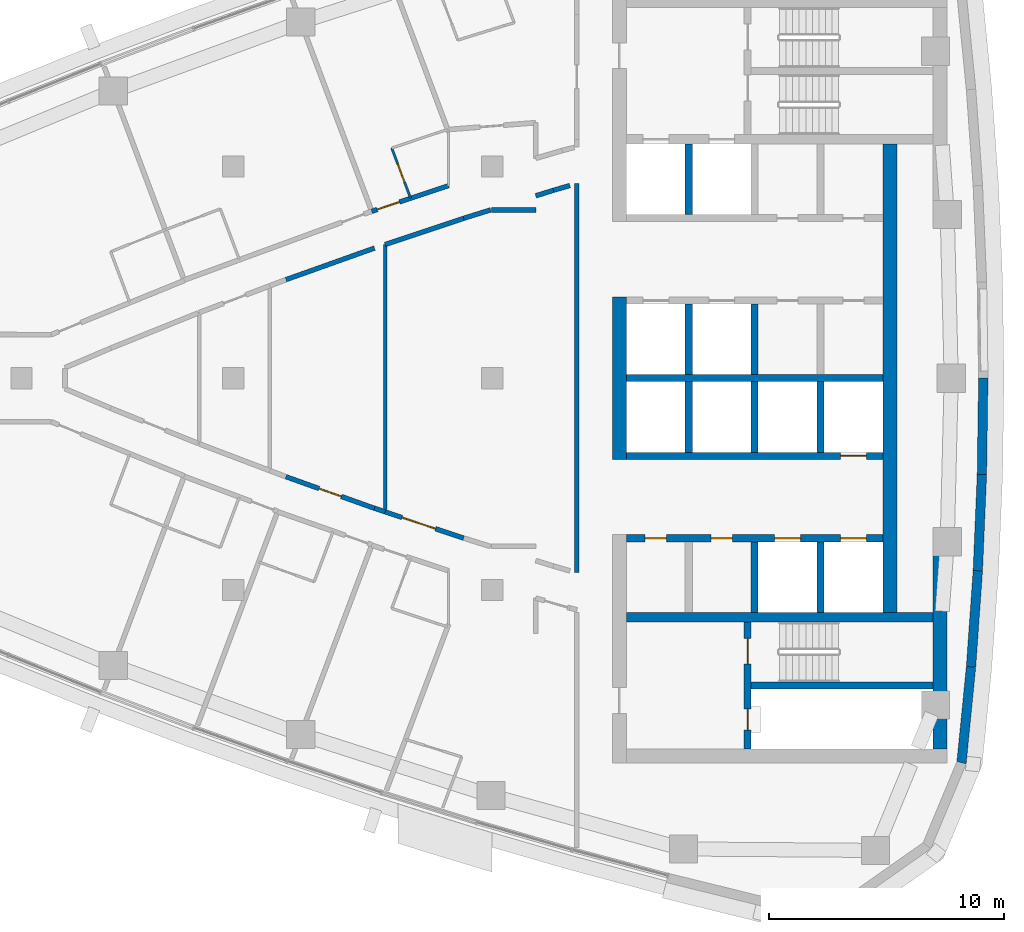
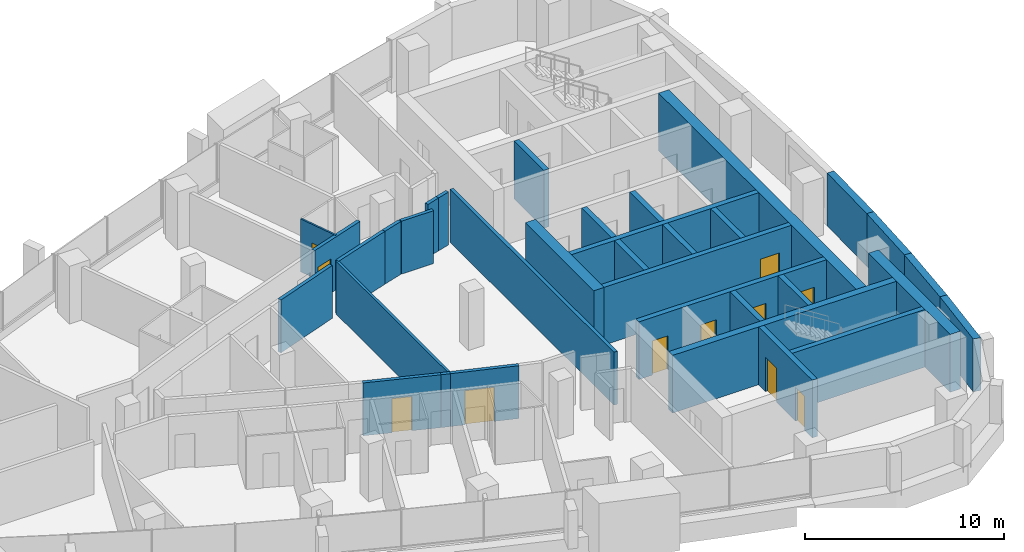
# One storey, part 10 of 16: 34 walls, 11 doors, 11 openings.
"""IFC4 building model written with IfcOpenShell, lengths in metres."""

import ifcopenshell
import ifcopenshell.guid

model = None  # the IFC model being written
_history = None  # IfcOwnerHistory: only IFC2X3 demands one
_inside = {}  # id of a spatial element -> (the spatial element, [elements in it])
_under = {}  # id of a project, library or spatial element -> (it, [spatial elements below it])
_declared = {}  # id of a project -> (the project, [libraries it declares])
_typed = {}  # id of a type object -> (the type object, [elements of that type])
_made_of = {}  # id of a material, layer set ... -> (it, [elements and type objects made of it])


def new_model(schema):
    """Start an empty IFC model of exactly this schema.

    Asked for "IFC4X3", IfcOpenShell would pick the latest addendum, in which some entities
    have other attributes; the version numbers below select the first issue.
    IFC2X3 requires an IfcOwnerHistory on every rooted entity: one is made here for all.
    """
    global model, _history
    if schema == "IFC4X3":
        model = ifcopenshell.file(schema_version=(4, 3, 0, 0))
    else:
        model = ifcopenshell.file(schema=schema)
    _inside.clear()
    _under.clear()
    _declared.clear()
    _typed.clear()
    _made_of.clear()
    _history = None
    if model.schema == "IFC2X3":
        org = make("IfcOrganization", Name="unknown")
        user = make(
            "IfcPersonAndOrganization",
            ThePerson=make("IfcPerson", FamilyName="unknown"),
            TheOrganization=org,
        )
        app = make(
            "IfcApplication",
            ApplicationDeveloper=org,
            Version="unknown",
            ApplicationFullName="unknown",
            ApplicationIdentifier="unknown",
        )
        _history = make(
            "IfcOwnerHistory",
            OwningUser=user,
            OwningApplication=app,
            ChangeAction="ADDED",
            CreationDate=0,
        )
    return model


def make(cls, **values):
    """One entity of the class cls with the attributes given. An attribute that is None is left unset."""
    return model.create_entity(
        cls, **{name: value for name, value in values.items() if value is not None}
    )


def rooted(cls, **values):
    """An entity with a GlobalId (a new one), such as an element, a storey or a relation."""
    return make(cls, GlobalId=ifcopenshell.guid.new(), OwnerHistory=_history, **values)


def si_unit(unit_type, name, prefix=None):
    """IfcSIUnit, for example si_unit("LENGTHUNIT", "METRE", prefix="MILLI")."""
    return make("IfcSIUnit", UnitType=unit_type, Prefix=prefix, Name=name)


def assignment(units):
    """IfcUnitAssignment: the units of a project."""
    return None if units is None else make("IfcUnitAssignment", Units=units)


def point(xyz):
    """IfcCartesianPoint."""
    return None if xyz is None else make("IfcCartesianPoint", Coordinates=xyz)


def direction(xyz):
    """IfcDirection."""
    return None if xyz is None else make("IfcDirection", DirectionRatios=xyz)


def frame(location, z_axis=None, x_axis=None):
    """IfcAxis2Placement3D, a coordinate frame: its origin and axes. An axis left out is left unset."""
    return make(
        "IfcAxis2Placement3D",
        Location=point(location),
        Axis=direction(z_axis),
        RefDirection=direction(x_axis),
    )


def frame_2d(location, x_axis=None):
    """IfcAxis2Placement2D, a coordinate frame in the plane: its origin and x axis."""
    return make(
        "IfcAxis2Placement2D", Location=point(location), RefDirection=direction(x_axis)
    )


def origin():
    """The frame at (0, 0, 0) with its axes left unset."""
    return frame((0.0, 0.0, 0.0))


def place(relative_to, where):
    """IfcLocalPlacement: puts the frame where relative to a parent placement (None: the world)."""
    return make(
        "IfcLocalPlacement", PlacementRelTo=relative_to, RelativePlacement=where
    )


def context(
    kind, dimensions, precision=None, world=None, true_north=None, identifier=None
):
    """IfcGeometricRepresentationContext, for example the 3D "Model" context."""
    return make(
        "IfcGeometricRepresentationContext",
        ContextIdentifier=identifier,
        ContextType=kind,
        CoordinateSpaceDimension=dimensions,
        Precision=precision,
        WorldCoordinateSystem=world,
        TrueNorth=true_north,
    )


def subcontext(parent, identifier, kind, view, scale=None):
    """IfcGeometricRepresentationSubContext, for example "Body" below "Model"."""
    return make(
        "IfcGeometricRepresentationSubContext",
        ContextIdentifier=identifier,
        ContextType=kind,
        ParentContext=parent,
        TargetScale=scale,
        TargetView=view,
    )


def project(units=None, contexts=None):
    """IfcProject with its units and contexts."""
    return rooted(
        "IfcProject",
        Name="project",
        RepresentationContexts=contexts,
        UnitsInContext=assignment(units),
    )


def spatial(cls, under=None, at=None, **own):
    """A site, building, storey or space (cls), placed at a placement, below another one or the project."""
    s = rooted(cls, ObjectPlacement=at, **own)
    if under is not None:
        _under.setdefault(under.id(), (under, []))[1].append(s)
    return s


def polyline(points):
    """IfcPolyline through the points."""
    return make("IfcPolyline", Points=[point(p) for p in points])


def profile(cls, at=None, kind="AREA", **sizes):
    """A parametric profile (cls). Its sizes go by their IFC names, for example OverallWidth=200.0."""
    return make(cls, ProfileType=kind, Position=at, **sizes)


def rectangle(**sizes):
    """IfcRectangleProfileDef."""
    return profile("IfcRectangleProfileDef", **sizes)


def outline(outer, holes=None, kind="AREA"):
    """IfcArbitraryClosedProfileDef: a profile drawn as a closed curve; with holes, ...WithVoids."""
    if holes is None:
        return make("IfcArbitraryClosedProfileDef", ProfileType=kind, OuterCurve=outer)
    return make(
        "IfcArbitraryProfileDefWithVoids",
        ProfileType=kind,
        OuterCurve=outer,
        InnerCurves=holes,
    )


def extrude(swept, where, along, depth):
    """IfcExtrudedAreaSolid: the profile swept, set in the frame where, extruded along a direction by depth."""
    return make(
        "IfcExtrudedAreaSolid",
        SweptArea=swept,
        Position=where,
        ExtrudedDirection=direction(along),
        Depth=depth,
    )


def shape(context_of_items, identifier, shape_type, items):
    """IfcShapeRepresentation: the items that make up one representation, for example the "Body"."""
    return make(
        "IfcShapeRepresentation",
        ContextOfItems=context_of_items,
        RepresentationIdentifier=identifier,
        RepresentationType=shape_type,
        Items=items,
    )


def material(Name=None, Category=None):
    """IfcMaterial."""
    return make("IfcMaterial", Name=Name, Category=Category)


def layer(
    of_material, thickness, ventilated=None, Name=None, Category=None, Priority=None
):
    """IfcMaterialLayer: one layer of a wall or slab, of a material (None: an air gap)."""
    return make(
        "IfcMaterialLayer",
        Material=of_material,
        LayerThickness=thickness,
        IsVentilated=ventilated,
        Name=Name,
        Category=Category,
        Priority=Priority,
    )


def layer_set(layers, Name=None):
    """IfcMaterialLayerSet."""
    return make("IfcMaterialLayerSet", MaterialLayers=layers, LayerSetName=Name)


def made_of(thing, what):
    """Note that an element or type object is made of a material, layer set ...; save() writes the relation."""
    if what is not None:
        _made_of.setdefault(what.id(), (what, []))[1].append(thing)
    return thing


def type_object(cls, material=None, **own):
    """A type object (cls), such as IfcWallType, which elements share."""
    return made_of(rooted(cls, **own), material)


def element(
    cls,
    number,
    at=None,
    inside=None,
    cuts=None,
    type_object=None,
    material=None,
    context=None,
    identifier="Body",
    shape_type=None,
    held_by="IfcProductDefinitionShape",
    body=None,
    shapes=None,
    **own,
):
    """One element of the class cls, such as IfcWall. Its Tag is "e" and its number.

    at: its placement. inside: the storey or other place that contains it. cuts: it is an
    opening in that element (IfcRelVoidsElement). A single representation is given by context,
    identifier, shape_type and body (its items); several are given by shapes. held_by: the class
    of the entity that holds the representations. save() writes the other relations.
    """
    e = rooted(cls, Tag="e%d" % number, ObjectPlacement=at, **own)
    if body is not None:
        shapes = [shape(context, identifier, shape_type, body)]
    if shapes is not None:
        e.Representation = make(held_by, Representations=shapes)
    if inside is not None:
        _inside.setdefault(inside.id(), (inside, []))[1].append(e)
    if cuts is not None:
        rooted(
            "IfcRelVoidsElement", RelatingBuildingElement=cuts, RelatedOpeningElement=e
        )
    if type_object is not None:
        _typed.setdefault(type_object.id(), (type_object, []))[1].append(e)
    return made_of(e, material)


def fill(opening, filler):
    """IfcRelFillsElement: the door or window that sits in an opening."""
    return rooted(
        "IfcRelFillsElement",
        RelatingOpeningElement=opening,
        RelatedBuildingElement=filler,
    )


def aggregate(whole, parts):
    """IfcRelAggregates: a whole, such as a stair, and the parts it consists of."""
    return rooted("IfcRelAggregates", RelatingObject=whole, RelatedObjects=parts)


def save(model, path):
    """Write the relations noted so far, then the file.

    IfcRelAggregates (storeys below a building ...), IfcRelContainedInSpatialStructure (elements
    in a storey), IfcRelDefinesByType, IfcRelAssociatesMaterial and IfcRelDeclares: one each for
    every whole, place, type object, material and project.
    """
    for whole, parts in _under.values():
        aggregate(whole, parts)
    for where, things in _inside.values():
        rooted(
            "IfcRelContainedInSpatialStructure",
            RelatedElements=things,
            RelatingStructure=where,
        )
    for kind, things in _typed.values():
        rooted("IfcRelDefinesByType", RelatedObjects=things, RelatingType=kind)
    for what, things in _made_of.values():
        rooted("IfcRelAssociatesMaterial", RelatedObjects=things, RelatingMaterial=what)
    for by, libraries in _declared.values():
        rooted("IfcRelDeclares", RelatingContext=by, RelatedDefinitions=libraries)
    model.write(path)


model = new_model("IFC4")

# Units and contexts
model_context = context("Model", 3, precision=1e-05, world=origin(), true_north=direction((0.0, 1.0)))
body_context = subcontext(model_context, "Body", "Model", "MODEL_VIEW")
ifc_project = project(units=[si_unit("LENGTHUNIT", "METRE"), si_unit("AREAUNIT", "SQUARE_METRE"), si_unit("VOLUMEUNIT", "CUBIC_METRE"), si_unit("PLANEANGLEUNIT", "RADIAN"), si_unit("MASSUNIT", "GRAM", prefix="KILO")], contexts=[model_context])

# Site, building, storey
site_placement = place(None, origin())
site = spatial("IfcSite", under=ifc_project, at=site_placement, CompositionType="ELEMENT")
building_placement = place(site_placement, origin())
building = spatial("IfcBuilding", under=site, at=building_placement, Name="Ostrand Prow Hotel Tower", CompositionType="ELEMENT")
storey_placement = place(building_placement, frame((0.0, 0.0, 224.35009765625)))
storey = spatial("IfcBuildingStorey", under=building, at=storey_placement, Name="L56", CompositionType="ELEMENT", Elevation=224.35009765625)

# Walls
ifc_material_1 = material(Name="Concrete C50/60", Category="concrete")
ifc_layer_1 = layer(ifc_material_1, 0.300048828125)
ifc_layer_set_1 = layer_set([ifc_layer_1], Name="Concrete C50/60")
wall_type_1 = type_object("IfcWallType", Name="Core wall 300 C50/60", PredefinedType="SHEAR", material=ifc_layer_set_1)
wall_1_placement = place(storey_placement, frame((50.699951171875, 0.0, 0.0), z_axis=(0.0, 0.0, 1.0), x_axis=(1.0, 0.0, 0.0)))
element("IfcWall", 1, at=wall_1_placement, inside=storey, type_object=wall_type_1, Name="Core wall PW-C", PredefinedType="SHEAR", context=body_context, shape_type="SweptSolid", body=[
    extrude(rectangle(XDim=10.900146484375, YDim=0.300048828125, at=frame_2d((5.4501953125, 0.0))), origin(), (0.0, 0.0, 1.0), 3.5498046875),
])
for number, where, z_axis, x_axis, name in (
    (2, (53.35009765625, 0.14990234375, 0.0), (0.0, 0.0, 1.0), (0.0, 1.0, 0.0), "Core wall PW-R1-NB"),
    (3, (53.35009765625, 6.949951171875, 0.0), (0.0, 0.0, 1.0), (0.0, 1.0, 0.0), "Core wall PW-R1-NA"),
    (4, (56.14990234375, 0.14990234375, 0.0), (0.0, 0.0, 1.0), (0.0, 1.0, 0.0), "Core wall PW-R2-NB"),
):
    element("IfcWall", number, at=place(storey_placement, frame(where, z_axis=z_axis, x_axis=x_axis)), inside=storey, type_object=wall_type_1, Name=name, PredefinedType="SHEAR", context=body_context, shape_type="SweptSolid", body=[
        extrude(rectangle(XDim=3.0, YDim=0.300048828125, at=frame_2d((1.5, 0.0))), origin(), (0.0, 0.0, 1.0), 3.5498046875),
    ])

# Wall, opening, door
wall_2_placement = place(storey_placement, frame((50.699951171875, -3.300048828125, 0.0), z_axis=(0.0, 0.0, 1.0), x_axis=(1.0, 0.0, 0.0)))
wall_2 = element("IfcWall", 5, at=wall_2_placement, inside=storey, type_object=wall_type_1, Name="Core wall PW-L1-S", PredefinedType="SHEAR", context=body_context, shape_type="SweptSolid", body=[
    extrude(rectangle(XDim=10.900146484375, YDim=0.300048828125, at=frame_2d((5.4501953125, 0.0))), origin(), (0.0, 0.0, 1.0), 3.5498046875),
])
opening_1_placement = place(wall_2_placement, frame((9.10009765625, 0.0, 0.0)))
opening_1 = element("IfcOpeningElement", 6, at=opening_1_placement, cuts=wall_2, Name="Opening LD", PredefinedType="OPENING", context=body_context, shape_type="SweptSolid", body=[
    extrude(rectangle(XDim=1.10009765625, YDim=2.10009765625, at=frame_2d((0.550048828125, 1.050048828125))), frame((0.0, 0.159912109375, 0.0), z_axis=(0.0, -1.0, 0.0), x_axis=(1.0, 0.0, 0.0)), (0.0, 0.0, 1.0), 0.320068359375),
])
ifc_material_2 = material(Name="Stainless steel door", Category="steel")
door_type_1 = type_object("IfcDoorType", Name="Lift landing door 1100", OperationType="DOUBLE_DOOR_SLIDING", PredefinedType="DOOR", material=ifc_material_2)
door_1_placement = place(opening_1_placement, origin())
door_1 = element("IfcDoor", 7, at=door_1_placement, inside=storey, type_object=door_type_1, Name="LIFT LANDING DOOR", OperationType="DOUBLE_DOOR_SLIDING", OverallHeight=2.10009765625, OverallWidth=1.10009765625, PredefinedType="DOOR", context=body_context, shape_type="SweptSolid", body=[
    extrude(rectangle(XDim=1.10009765625, YDim=2.10009765625, at=frame_2d((0.550048828125, 1.050048828125))), frame((0.0, 0.02490234375, 0.0), z_axis=(0.0, -1.0, 0.0), x_axis=(1.0, 0.0, 0.0)), (0.0, 0.0, 1.0), 0.050048828125),
])
fill(opening_1, door_1)

# Wall, openings, doors
wall_3_placement = place(storey_placement, frame((50.699951171875, -6.800048828125, 0.0), z_axis=(0.0, 0.0, 1.0), x_axis=(1.0, 0.0, 0.0)))
wall_3 = element("IfcWall", 8, at=wall_3_placement, inside=storey, type_object=wall_type_1, Name="Core wall PW-L2-S", PredefinedType="SHEAR", context=body_context, shape_type="SweptSolid", body=[
    extrude(rectangle(XDim=10.900146484375, YDim=0.300048828125, at=frame_2d((5.4501953125, 0.0))), origin(), (0.0, 0.0, 1.0), 3.5498046875),
])
opening_2_placement = place(wall_3_placement, frame((6.300048828125, 0.0, 0.0)))
opening_2 = element("IfcOpeningElement", 9, at=opening_2_placement, cuts=wall_3, Name="Opening LD", PredefinedType="OPENING", context=body_context, shape_type="SweptSolid", body=[
    extrude(rectangle(XDim=1.10009765625, YDim=2.10009765625, at=frame_2d((0.550048828125, 1.050048828125))), frame((0.0, 0.159912109375, 0.0), z_axis=(0.0, -1.0, 0.0), x_axis=(1.0, 0.0, 0.0)), (0.0, 0.0, 1.0), 0.320068359375),
])
opening_3_placement = place(wall_3_placement, frame((9.10009765625, 0.0, 0.0)))
opening_3 = element("IfcOpeningElement", 10, at=opening_3_placement, cuts=wall_3, Name="Opening LD", PredefinedType="OPENING", context=body_context, shape_type="SweptSolid", body=[
    extrude(rectangle(XDim=1.10009765625, YDim=2.10009765625, at=frame_2d((0.550048828125, 1.050048828125))), frame((0.0, 0.159912109375, 0.0), z_axis=(0.0, -1.0, 0.0), x_axis=(1.0, 0.0, 0.0)), (0.0, 0.0, 1.0), 0.320068359375),
])
opening_4_placement = place(wall_3_placement, frame((0.800048828125, 0.0, 0.0)))
opening_4 = element("IfcOpeningElement", 11, at=opening_4_placement, cuts=wall_3, Name="Opening FD2", PredefinedType="OPENING", context=body_context, shape_type="SweptSolid", body=[
    extrude(rectangle(XDim=0.89990234375, YDim=2.10009765625, at=frame_2d((0.449951171875, 1.050048828125))), frame((0.0, 0.159912109375, 0.0), z_axis=(0.0, -1.0, 0.0), x_axis=(1.0, 0.0, 0.0)), (0.0, 0.0, 1.0), 0.320068359375),
])
opening_5_placement = place(wall_3_placement, frame((3.60009765625, 0.0, 0.0)))
opening_5 = element("IfcOpeningElement", 12, at=opening_5_placement, cuts=wall_3, Name="Opening FD2", PredefinedType="OPENING", context=body_context, shape_type="SweptSolid", body=[
    extrude(rectangle(XDim=0.89990234375, YDim=2.10009765625, at=frame_2d((0.449951171875, 1.050048828125))), frame((0.0, 0.159912109375, 0.0), z_axis=(0.0, -1.0, 0.0), x_axis=(1.0, 0.0, 0.0)), (0.0, 0.0, 1.0), 0.320068359375),
])
ifc_material_3 = material(Name="Steel fire door", Category="steel")
door_type_2 = type_object("IfcDoorType", Name="Fire door 900 EI120", OperationType="SINGLE_SWING_LEFT", PredefinedType="DOOR", material=ifc_material_3)
door_2_placement = place(opening_4_placement, origin())
door_2 = element("IfcDoor", 13, at=door_2_placement, inside=storey, type_object=door_type_2, Name="DOOR", OperationType="SINGLE_SWING_LEFT", OverallHeight=2.10009765625, OverallWidth=0.89990234375, PredefinedType="DOOR", context=body_context, shape_type="SweptSolid", body=[
    extrude(rectangle(XDim=0.89990234375, YDim=2.10009765625, at=frame_2d((0.449951171875, 1.050048828125))), frame((0.0, 0.02490234375, 0.0), z_axis=(0.0, -1.0, 0.0), x_axis=(1.0, 0.0, 0.0)), (0.0, 0.0, 1.0), 0.050048828125),
])
fill(opening_4, door_2)
door_3_placement = place(opening_5_placement, origin())
door_3 = element("IfcDoor", 14, at=door_3_placement, inside=storey, type_object=door_type_2, Name="DOOR", OperationType="SINGLE_SWING_LEFT", OverallHeight=2.10009765625, OverallWidth=0.89990234375, PredefinedType="DOOR", context=body_context, shape_type="SweptSolid", body=[
    extrude(rectangle(XDim=0.89990234375, YDim=2.10009765625, at=frame_2d((0.449951171875, 1.050048828125))), frame((0.0, 0.02490234375, 0.0), z_axis=(0.0, -1.0, 0.0), x_axis=(1.0, 0.0, 0.0)), (0.0, 0.0, 1.0), 0.050048828125),
])
fill(opening_5, door_3)
door_4_placement = place(opening_2_placement, origin())
door_4 = element("IfcDoor", 15, at=door_4_placement, inside=storey, type_object=door_type_1, Name="LIFT LANDING DOOR", OperationType="DOUBLE_DOOR_SLIDING", OverallHeight=2.10009765625, OverallWidth=1.10009765625, PredefinedType="DOOR", context=body_context, shape_type="SweptSolid", body=[
    extrude(rectangle(XDim=1.10009765625, YDim=2.10009765625, at=frame_2d((0.550048828125, 1.050048828125))), frame((0.0, 0.02490234375, 0.0), z_axis=(0.0, -1.0, 0.0), x_axis=(1.0, 0.0, 0.0)), (0.0, 0.0, 1.0), 0.050048828125),
])
fill(opening_2, door_4)
door_5_placement = place(opening_3_placement, origin())
door_5 = element("IfcDoor", 16, at=door_5_placement, inside=storey, type_object=door_type_1, Name="LIFT LANDING DOOR", OperationType="DOUBLE_DOOR_SLIDING", OverallHeight=2.10009765625, OverallWidth=1.10009765625, PredefinedType="DOOR", context=body_context, shape_type="SweptSolid", body=[
    extrude(rectangle(XDim=1.10009765625, YDim=2.10009765625, at=frame_2d((0.550048828125, 1.050048828125))), frame((0.0, 0.02490234375, 0.0), z_axis=(0.0, -1.0, 0.0), x_axis=(1.0, 0.0, 0.0)), (0.0, 0.0, 1.0), 0.050048828125),
])
fill(opening_3, door_5)

# Walls
for number, where, z_axis, x_axis, name in (
    (17, (53.35009765625, -3.14990234375, 0.0), (0.0, 0.0, 1.0), (0.0, 1.0, 0.0), "Core wall PW-R1-SB"),
    (18, (56.14990234375, -3.14990234375, 0.0), (0.0, 0.0, 1.0), (0.0, 1.0, 0.0), "Core wall PW-R2-SB"),
    (19, (56.14990234375, -9.949951171875, 0.0), (0.0, 0.0, 1.0), (0.0, 1.0, 0.0), "Core wall PW-R2-SA"),
    (20, (58.949951171875, -3.14990234375, 0.0), (0.0, 0.0, 1.0), (0.0, 1.0, 0.0), "Core wall PW-R3-SB"),
    (21, (58.949951171875, -9.949951171875, 0.0), (0.0, 0.0, 1.0), (0.0, 1.0, 0.0), "Core wall PW-R3-SA"),
):
    element("IfcWall", number, at=place(storey_placement, frame(where, z_axis=z_axis, x_axis=x_axis)), inside=storey, type_object=wall_type_1, Name=name, PredefinedType="SHEAR", context=body_context, shape_type="SweptSolid", body=[
        extrude(rectangle(XDim=3.0, YDim=0.300048828125, at=frame_2d((1.5, 0.0))), origin(), (0.0, 0.0, 1.0), 3.5498046875),
    ])

# Wall, openings, doors
wall_4_placement = place(storey_placement, frame((55.85009765625, -15.75, 0.0), z_axis=(0.0, 0.0, 1.0), x_axis=(0.0, 1.0, 0.0)))
wall_4 = element("IfcWall", 22, at=wall_4_placement, inside=storey, type_object=wall_type_1, Name="Core wall PW-VS", PredefinedType="SHEAR", context=body_context, shape_type="SweptSolid", body=[
    extrude(rectangle(XDim=5.39990234375, YDim=0.300048828125, at=frame_2d((2.699951171875, 0.0))), origin(), (0.0, 0.0, 1.0), 3.5498046875),
])
opening_6_placement = place(wall_4_placement, frame((3.60009765625, 0.0, 0.0)))
opening_6 = element("IfcOpeningElement", 23, at=opening_6_placement, cuts=wall_4, Name="Opening FD1", PredefinedType="OPENING", context=body_context, shape_type="SweptSolid", body=[
    extrude(rectangle(XDim=1.10009765625, YDim=2.10009765625, at=frame_2d((0.550048828125, 1.050048828125))), frame((0.0, 0.159912109375, 0.0), z_axis=(0.0, -1.0, 0.0), x_axis=(1.0, 0.0, 0.0)), (0.0, 0.0, 1.0), 0.320068359375),
])
opening_7_placement = place(wall_4_placement, frame((0.800048828125, 0.0, 0.0)))
opening_7 = element("IfcOpeningElement", 24, at=opening_7_placement, cuts=wall_4, Name="Opening FD2", PredefinedType="OPENING", context=body_context, shape_type="SweptSolid", body=[
    extrude(rectangle(XDim=0.89990234375, YDim=2.10009765625, at=frame_2d((0.449951171875, 1.050048828125))), frame((0.0, 0.159912109375, 0.0), z_axis=(0.0, -1.0, 0.0), x_axis=(1.0, 0.0, 0.0)), (0.0, 0.0, 1.0), 0.320068359375),
])
ifc_material_4 = material(Name="Steel fire door", Category="steel")
door_type_3 = type_object("IfcDoorType", Name="Fire door 1100 EI120", OperationType="SINGLE_SWING_RIGHT", PredefinedType="DOOR", material=ifc_material_4)
door_6_placement = place(opening_6_placement, origin())
door_6 = element("IfcDoor", 25, at=door_6_placement, inside=storey, type_object=door_type_3, Name="FIRE DOOR", OperationType="SINGLE_SWING_RIGHT", OverallHeight=2.10009765625, OverallWidth=1.10009765625, PredefinedType="DOOR", context=body_context, shape_type="SweptSolid", body=[
    extrude(rectangle(XDim=1.10009765625, YDim=2.10009765625, at=frame_2d((0.550048828125, 1.050048828125))), frame((0.0, 0.02490234375, 0.0), z_axis=(0.0, -1.0, 0.0), x_axis=(1.0, 0.0, 0.0)), (0.0, 0.0, 1.0), 0.050048828125),
])
fill(opening_6, door_6)
door_7_placement = place(opening_7_placement, origin())
door_7 = element("IfcDoor", 26, at=door_7_placement, inside=storey, type_object=door_type_2, Name="FIRE DOOR", OperationType="SINGLE_SWING_LEFT", OverallHeight=2.10009765625, OverallWidth=0.89990234375, PredefinedType="DOOR", context=body_context, shape_type="SweptSolid", body=[
    extrude(rectangle(XDim=0.89990234375, YDim=2.10009765625, at=frame_2d((0.449951171875, 1.050048828125))), frame((0.0, 0.02490234375, 0.0), z_axis=(0.0, -1.0, 0.0), x_axis=(1.0, 0.0, 0.0)), (0.0, 0.0, 1.0), 0.050048828125),
])
fill(opening_7, door_7)

# Walls
wall_5_placement = place(storey_placement, frame((56.0, -13.050048828125, 0.0), z_axis=(0.0, 0.0, 1.0), x_axis=(1.0, 0.0, 0.0)))
element("IfcWall", 27, at=wall_5_placement, inside=storey, type_object=wall_type_1, Name="Core wall PW-ST2R", PredefinedType="SHEAR", context=body_context, shape_type="SweptSolid", body=[
    extrude(rectangle(XDim=7.719970703125, YDim=0.300048828125, at=frame_2d((3.85986328125, 0.0))), origin(), (0.0, 0.0, 1.0), 3.5498046875),
])
ifc_material_5 = material(Name="Concrete C50/60", Category="concrete")
ifc_layer_2 = layer(ifc_material_5, 0.39990234375)
ifc_layer_set_2 = layer_set([ifc_layer_2], Name="Concrete C50/60")
wall_type_2 = type_object("IfcWallType", Name="Core wall 400 C50/60", PredefinedType="SHEAR", material=ifc_layer_set_2)
wall_6_placement = place(storey_placement, frame((50.699951171875, -10.14990234375, 0.0), z_axis=(0.0, 0.0, 1.0), x_axis=(1.0, 0.0, 0.0)))
element("IfcWall", 28, at=wall_6_placement, inside=storey, type_object=wall_type_2, Name="Core wall PW-BS", PredefinedType="SHEAR", context=body_context, shape_type="SweptSolid", body=[
    extrude(rectangle(XDim=13.02001953125, YDim=0.39990234375, at=frame_2d((6.510009765625, 0.0))), origin(), (0.0, 0.0, 1.0), 3.5498046875),
])
ifc_material_6 = material(Name="Concrete C50/60", Category="concrete")
ifc_layer_3 = layer(ifc_material_6, 0.60009765625)
ifc_layer_set_3 = layer_set([ifc_layer_3], Name="Concrete C50/60")
wall_type_3 = type_object("IfcWallType", Name="Core wall 600 C50/60", PredefinedType="SHEAR", material=ifc_layer_set_3)
wall_7_placement = place(storey_placement, frame((50.39990234375, -3.449951171875, 0.0), z_axis=(0.0, 0.0, 1.0), x_axis=(0.0, 1.0, 0.0)))
element("IfcWall", 29, at=wall_7_placement, inside=storey, type_object=wall_type_3, Name="Core wall CW-W-C", PredefinedType="SHEAR", context=body_context, shape_type="SweptSolid", body=[
    extrude(rectangle(XDim=6.89990234375, YDim=0.60009765625, at=frame_2d((3.449951171875, 0.0))), origin(), (0.0, 0.0, 1.0), 3.5498046875),
])
wall_8_placement = place(storey_placement, frame((64.02001953125, -15.75, 0.0), z_axis=(0.0, 0.0, 1.0), x_axis=(0.0, 1.0, 0.0)))
element("IfcWall", 30, at=wall_8_placement, inside=storey, type_object=wall_type_3, Name="Core wall CW-E-S", PredefinedType="SHEAR", context=body_context, shape_type="SweptSolid", body=[
    extrude(rectangle(XDim=8.247802734375, YDim=0.60009765625, at=frame_2d((4.1240234375, 0.0))), origin(), (0.0, 0.0, 1.0), 3.5498046875),
])
wall_9_placement = place(storey_placement, frame((61.89990234375, -9.949951171875, 0.0), z_axis=(0.0, 0.0, 1.0), x_axis=(0.0, 1.0, 0.0)))
element("IfcWall", 31, at=wall_9_placement, inside=storey, type_object=wall_type_3, Name="Core wall CW-E-C", PredefinedType="SHEAR", context=body_context, shape_type="SweptSolid", body=[
    extrude(rectangle(XDim=19.89990234375, YDim=0.60009765625, at=frame_2d((9.949951171875, 0.0))), origin(), (0.0, 0.0, 1.0), 3.5498046875),
])

# Wall, opening, door
ifc_material_7 = material(Name="Plasterboard partition")
ifc_layer_4 = layer(ifc_material_7, 0.10009765625)
ifc_layer_set_4 = layer_set([ifc_layer_4], Name="Plasterboard partition")
wall_type_4 = type_object("IfcWallType", Name="Partition 100 bathroom wall", PredefinedType="PARTITIONING", material=ifc_layer_set_4)
wall_10_placement = place(storey_placement, frame((41.53173828125, 7.645263671875, 0.0), z_axis=(0.0, 0.0, 1.0), x_axis=(-0.351146927505, 0.936320370014, 0.0)))
wall_10 = element("IfcWall", 32, at=wall_10_placement, inside=storey, type_object=wall_type_4, Name="BATHROOM WALL", PredefinedType="PARTITIONING", context=body_context, shape_type="SweptSolid", body=[
    extrude(rectangle(XDim=2.2783203125, YDim=0.10009765625, at=frame_2d((1.13916015625, 0.0))), origin(), (0.0, 0.0, 1.0), 3.25),
])
opening_8_placement = place(wall_10_placement, frame((0.75, 0.0, 0.0)))
opening_8 = element("IfcOpeningElement", 33, at=opening_8_placement, cuts=wall_10, Name="Opening D2", PredefinedType="OPENING", context=body_context, shape_type="SweptSolid", body=[
    extrude(rectangle(XDim=0.800048828125, YDim=2.10009765625, at=frame_2d((0.39990234375, 1.050048828125))), frame((0.0, 0.06005859375, 0.0), z_axis=(0.0, -1.0, 0.0), x_axis=(1.0, 0.0, 0.0)), (0.0, 0.0, 1.0), 0.1201171875),
])
ifc_material_8 = material(Name="Timber door leaf", Category="wood")
door_type_4 = type_object("IfcDoorType", Name="Bathroom door 800", OperationType="SINGLE_SWING_LEFT", PredefinedType="DOOR", material=ifc_material_8)
door_8_placement = place(opening_8_placement, origin())
door_8 = element("IfcDoor", 34, at=door_8_placement, inside=storey, type_object=door_type_4, Name="DOOR", OperationType="SINGLE_SWING_LEFT", OverallHeight=2.10009765625, OverallWidth=0.800048828125, PredefinedType="DOOR", context=body_context, shape_type="SweptSolid", body=[
    extrude(rectangle(XDim=0.800048828125, YDim=2.10009765625, at=frame_2d((0.39990234375, 1.050048828125))), frame((0.0, 0.02490234375, 0.0), z_axis=(0.0, -1.0, 0.0), x_axis=(1.0, 0.0, 0.0)), (0.0, 0.0, 1.0), 0.050048828125),
])
fill(opening_8, door_8)

# Wall
ifc_material_9 = material(Name="Plasterboard partition")
ifc_layer_5 = layer(ifc_material_9, 0.14990234375)
ifc_layer_set_5 = layer_set([ifc_layer_5], Name="Plasterboard partition")
wall_type_5 = type_object("IfcWallType", Name="Partition 150 room partition", PredefinedType="PARTITIONING", material=ifc_layer_set_5)
wall_11_placement = place(storey_placement, frame((40.44775390625, -5.572021484375, 0.0), z_axis=(0.0, 0.0, 1.0), x_axis=(0.0, 1.0, 0.0)))
element("IfcWall", 35, at=wall_11_placement, inside=storey, type_object=wall_type_5, Name="ROOM PARTITION", PredefinedType="PARTITIONING", context=body_context, shape_type="SweptSolid", body=[
    extrude(rectangle(XDim=11.249267578125, YDim=0.14990234375, at=frame_2d((5.62451171875, 0.0))), origin(), (0.0, 0.0, 1.0), 3.25),
])

# Wall, opening, door
ifc_material_10 = material(Name="Plasterboard partition")
ifc_layer_6 = layer(ifc_material_10, 0.199951171875)
ifc_layer_set_6 = layer_set([ifc_layer_6], Name="Plasterboard partition")
wall_type_6 = type_object("IfcWallType", Name="Partition 200 corridor wall", PredefinedType="PARTITIONING", material=ifc_layer_set_6)
wall_12_placement = place(storey_placement, frame((43.14990234375, 8.1826171875, 0.0), z_axis=(0.0, 0.0, 1.0), x_axis=(-0.948477584784, -0.316844238013, 0.0)))
wall_12 = element("IfcWall", 36, at=wall_12_placement, inside=storey, type_object=wall_type_6, Name="CORRIDOR WALL", PredefinedType="PARTITIONING", context=body_context, shape_type="SweptSolid", body=[
    extrude(rectangle(XDim=3.445068359375, YDim=0.199951171875, at=frame_2d((1.72265625, 0.0))), origin(), (0.0, 0.0, 1.0), 3.25),
])
opening_9_placement = place(wall_12_placement, frame((2.199951171875, 0.0, 0.0)))
opening_9 = element("IfcOpeningElement", 37, at=opening_9_placement, cuts=wall_12, Name="Opening D1R", PredefinedType="OPENING", context=body_context, shape_type="SweptSolid", body=[
    extrude(rectangle(XDim=1.0, YDim=2.10009765625, at=frame_2d((0.5, 1.050048828125))), frame((0.0, 0.10986328125, 0.0), z_axis=(0.0, -1.0, 0.0), x_axis=(1.0, 0.0, 0.0)), (0.0, 0.0, 1.0), 0.219970703125),
])
ifc_material_11 = material(Name="Timber door leaf", Category="wood")
door_type_5 = type_object("IfcDoorType", Name="Guest room door 1000 right", OperationType="SINGLE_SWING_RIGHT", PredefinedType="DOOR", material=ifc_material_11)
door_9_placement = place(opening_9_placement, origin())
door_9 = element("IfcDoor", 38, at=door_9_placement, inside=storey, type_object=door_type_5, Name="DOOR", OperationType="SINGLE_SWING_RIGHT", OverallHeight=2.10009765625, OverallWidth=1.0, PredefinedType="DOOR", context=body_context, shape_type="SweptSolid", body=[
    extrude(rectangle(XDim=1.0, YDim=2.10009765625, at=frame_2d((0.5, 1.050048828125))), frame((0.0, 0.02490234375, 0.0), z_axis=(0.0, -1.0, 0.0), x_axis=(1.0, 0.0, 0.0)), (0.0, 0.0, 1.0), 0.050048828125),
])
fill(opening_9, door_9)

wall_13_placement = place(storey_placement, frame((39.999267578125, -5.52734375, 0.0), z_axis=(0.0, 0.0, 1.0), x_axis=(-0.941909090846, 0.335867927288, 0.0)))
wall_13 = element("IfcWall", 39, at=wall_13_placement, inside=storey, type_object=wall_type_6, Name="CORRIDOR WALL", PredefinedType="PARTITIONING", context=body_context, shape_type="SweptSolid", body=[
    extrude(rectangle(XDim=3.9951171875, YDim=0.199951171875, at=frame_2d((1.99755859375, 0.0))), origin(), (0.0, 0.0, 1.0), 3.25),
])
opening_10_placement = place(wall_13_placement, frame((1.49755859375, 0.0, 0.0)))
opening_10 = element("IfcOpeningElement", 40, at=opening_10_placement, cuts=wall_13, Name="Opening D1R", PredefinedType="OPENING", context=body_context, shape_type="SweptSolid", body=[
    extrude(rectangle(XDim=1.0, YDim=2.10009765625, at=frame_2d((0.5, 1.050048828125))), frame((0.0, 0.10986328125, 0.0), z_axis=(0.0, -1.0, 0.0), x_axis=(1.0, 0.0, 0.0)), (0.0, 0.0, 1.0), 0.219970703125),
])
door_10_placement = place(opening_10_placement, origin())
door_10 = element("IfcDoor", 41, at=door_10_placement, inside=storey, type_object=door_type_5, Name="DOOR", OperationType="SINGLE_SWING_RIGHT", OverallHeight=2.10009765625, OverallWidth=1.0, PredefinedType="DOOR", context=body_context, shape_type="SweptSolid", body=[
    extrude(rectangle(XDim=1.0, YDim=2.10009765625, at=frame_2d((0.5, 1.050048828125))), frame((0.0, 0.02490234375, 0.0), z_axis=(0.0, -1.0, 0.0), x_axis=(1.0, 0.0, 0.0)), (0.0, 0.0, 1.0), 0.050048828125),
])
fill(opening_10, door_10)

# Wall
wall_14_placement = place(storey_placement, frame((36.236328125, 4.185546875, 0.0), z_axis=(0.0, 0.0, 1.0), x_axis=(0.941909090846, 0.335867927288, 0.0)))
element("IfcWall", 42, at=wall_14_placement, inside=storey, type_object=wall_type_6, Name="CORRIDOR WALL", PredefinedType="PARTITIONING", context=body_context, shape_type="SweptSolid", body=[
    extrude(rectangle(XDim=3.9951171875, YDim=0.199951171875, at=frame_2d((1.99755859375, 0.0))), origin(), (0.0, 0.0, 1.0), 3.25),
])

# Wall, opening, door
wall_15_placement = place(storey_placement, frame((43.788330078125, -6.793212890625, 0.0), z_axis=(0.0, 0.0, 1.0), x_axis=(-0.948475139593, 0.316851557632, 0.0)))
wall_15 = element("IfcWall", 43, at=wall_15_placement, inside=storey, type_object=wall_type_6, Name="CORRIDOR WALL", PredefinedType="PARTITIONING", context=body_context, shape_type="SweptSolid", body=[
    extrude(rectangle(XDim=3.52197265625, YDim=0.199951171875, at=frame_2d((1.760986328125, 0.0))), origin(), (0.0, 0.0, 1.0), 3.25),
])
opening_11_placement = place(wall_15_placement, frame((1.260986328125, 0.0, 0.0)))
opening_11 = element("IfcOpeningElement", 44, at=opening_11_placement, cuts=wall_15, Name="Opening D15", PredefinedType="OPENING", context=body_context, shape_type="SweptSolid", body=[
    extrude(rectangle(XDim=1.5, YDim=2.10009765625, at=frame_2d((0.75, 1.050048828125))), frame((0.0, 0.10986328125, 0.0), z_axis=(0.0, -1.0, 0.0), x_axis=(1.0, 0.0, 0.0)), (0.0, 0.0, 1.0), 0.219970703125),
])
ifc_material_12 = material(Name="Timber door leaf", Category="wood")
door_type_6 = type_object("IfcDoorType", Name="Double door 1500", OperationType="DOUBLE_DOOR_SINGLE_SWING", PredefinedType="DOOR", material=ifc_material_12)
door_11_placement = place(opening_11_placement, origin())
door_11 = element("IfcDoor", 45, at=door_11_placement, inside=storey, type_object=door_type_6, Name="DOOR", OperationType="DOUBLE_DOOR_SINGLE_SWING", OverallHeight=2.10009765625, OverallWidth=1.5, PredefinedType="DOOR", context=body_context, shape_type="SweptSolid", body=[
    extrude(rectangle(XDim=1.5, YDim=2.10009765625, at=frame_2d((0.75, 1.050048828125))), frame((0.0, 0.02490234375, 0.0), z_axis=(0.0, -1.0, 0.0), x_axis=(1.0, 0.0, 0.0)), (0.0, 0.0, 1.0), 0.050048828125),
])
fill(opening_11, door_11)

# Walls
wall_16_placement = place(storey_placement, frame((43.788330078125, 6.793212890625, 0.0), z_axis=(0.0, 0.0, 1.0), x_axis=(0.954693570678, 0.29759063511, 0.0)))
element("IfcWall", 46, at=wall_16_placement, inside=storey, type_object=wall_type_6, Name="CORRIDOR WALL", PredefinedType="PARTITIONING", context=body_context, shape_type="SweptSolid", body=[
    extrude(rectangle(XDim=1.198486328125, YDim=0.199951171875, at=frame_2d((0.59912109375, 0.0))), origin(), (0.0, 0.0, 1.0), 3.25),
])
wall_17_placement = place(storey_placement, frame((46.85009765625, 7.747802734375, 0.0), z_axis=(0.0, 0.0, 1.0), x_axis=(0.95461224237, 0.297851417181, 0.0)))
element("IfcWall", 47, at=wall_17_placement, inside=storey, type_object=wall_type_6, Name="CORRIDOR WALL", PredefinedType="PARTITIONING", context=body_context, shape_type="SweptSolid", body=[
    extrude(rectangle(XDim=0.78759765625, YDim=0.199951171875, at=frame_2d((0.393798828125, 0.0))), origin(), (0.0, 0.0, 1.0), 3.25),
])
wall_18_placement = place(storey_placement, frame((40.44775390625, 5.67724609375, 0.0), z_axis=(0.0, 0.0, 1.0), x_axis=(0.948475139593, 0.316851557632, 0.0)))
element("IfcWall", 48, at=wall_18_placement, inside=storey, type_object=wall_type_6, Name="CORRIDOR WALL", PredefinedType="PARTITIONING", context=body_context, shape_type="SweptSolid", body=[
    extrude(rectangle(XDim=3.52197265625, YDim=0.199951171875, at=frame_2d((1.760986328125, 0.0))), origin(), (0.0, 0.0, 1.0), 3.25),
])
wall_19_placement = place(storey_placement, frame((47.60205078125, 7.982421875, 0.0), z_axis=(0.0, 0.0, 1.0), x_axis=(0.960439023181, 0.278490363839, 0.0)))
element("IfcWall", 49, at=wall_19_placement, inside=storey, type_object=wall_type_6, Name="CORRIDOR WALL", PredefinedType="PARTITIONING", context=body_context, shape_type="SweptSolid", body=[
    extrude(rectangle(XDim=0.726806640625, YDim=0.199951171875, at=frame_2d((0.36328125, 0.0))), origin(), (0.0, 0.0, 1.0), 3.25),
])
wall_20_placement = place(storey_placement, frame((44.972412109375, 7.14501953125, 0.0), z_axis=(0.0, 0.0, 1.0), x_axis=(0.99999999156, 0.000129920747, 0.0)))
element("IfcWall", 50, at=wall_20_placement, inside=storey, type_object=wall_type_6, Name="CORRIDOR WALL", PredefinedType="PARTITIONING", context=body_context, shape_type="SweptSolid", body=[
    extrude(rectangle(XDim=1.879150390625, YDim=0.199951171875, at=frame_2d((0.939453125, 0.0))), origin(), (0.0, 0.0, 1.0), 3.25),
])
wall_21_placement = place(storey_placement, frame((48.594970703125, 8.264892578125, 0.0), z_axis=(0.0, 0.0, 1.0), x_axis=(0.0, -1.0, 0.0)))
element("IfcWall", 51, at=wall_21_placement, inside=storey, type_object=wall_type_6, Name="CORRIDOR WALL", PredefinedType="PARTITIONING", context=body_context, shape_type="SweptSolid", body=[
    extrude(rectangle(XDim=16.52978515625, YDim=0.199951171875, at=frame_2d((8.264892578125, 0.0))), origin(), (0.0, 0.0, 1.0), 3.25),
])
wall_22_placement = place(storey_placement, frame((40.44775390625, -5.67724609375, 0.0), z_axis=(0.0, 0.0, 1.0), x_axis=(-0.948424836926, 0.317002095739, 0.0)))
element("IfcWall", 52, at=wall_22_placement, inside=storey, type_object=wall_type_6, Name="CORRIDOR WALL", PredefinedType="PARTITIONING", context=body_context, shape_type="SweptSolid", body=[
    extrude(rectangle(XDim=0.472900390625, YDim=0.199951171875, at=frame_2d((0.236328125, 0.0))), origin(), (0.0, 0.0, 1.0), 3.25),
])
ifc_material_13 = material(Name="Precast concrete C40/50", Category="concrete")
ifc_layer_7 = layer(ifc_material_13, 0.39990234375)
ifc_layer_set_7 = layer_set([ifc_layer_7], Name="Precast concrete C40/50")
wall_type_7 = type_object("IfcWallType", Name="Stone-faced precast wall 400 mm", PredefinedType="NOTDEFINED", material=ifc_layer_set_7)
wall_23_placement = place(storey_placement, frame((64.9375, -16.33740234375, 0.0), z_axis=(0.0, 0.0, 1.0), x_axis=(0.098718218066, 0.995115427185, 0.0)))
element("IfcWall", 53, at=wall_23_placement, inside=storey, type_object=wall_type_7, Name="Stone-faced wall back 5", PredefinedType="NOTDEFINED", context=body_context, shape_type="SweptSolid", body=[
    extrude(outline(polyline([(-0.02978515625, -0.199951171875), (4.095703125, -0.199951171875), (4.09033203125, 0.199951171875), (0.02978515625, 0.199951171875), (-0.02978515625, -0.199951171875)])), origin(), (0.0, 0.0, 1.0), 3.25),
])
wall_24_placement = place(storey_placement, frame((65.341552734375, -12.264404296875, 0.0), z_axis=(0.0, 0.0, 1.0), x_axis=(0.070623905352, 0.997503014528, 0.0)))
element("IfcWall", 54, at=wall_24_placement, inside=storey, type_object=wall_type_7, Name="Stone-faced wall back 6", PredefinedType="NOTDEFINED", context=body_context, shape_type="SweptSolid", body=[
    extrude(outline(polyline([(-0.002685546875, -0.199951171875), (4.095703125, -0.199951171875), (4.09033203125, 0.199951171875), (0.002685546875, 0.199951171875), (-0.002685546875, -0.199951171875)])), origin(), (0.0, 0.0, 1.0), 3.25),
])
wall_25_placement = place(storey_placement, frame((65.630615234375, -8.181640625, 0.0), z_axis=(0.0, 0.0, 1.0), x_axis=(0.042352554594, 0.999102728011, 0.0)))
element("IfcWall", 55, at=wall_25_placement, inside=storey, type_object=wall_type_7, Name="Stone-faced wall back 7", PredefinedType="NOTDEFINED", context=body_context, shape_type="SweptSolid", body=[
    extrude(outline(polyline([(-0.002685546875, -0.199951171875), (4.095458984375, -0.199951171875), (4.090087890625, 0.199951171875), (0.002685546875, 0.199951171875), (-0.002685546875, -0.199951171875)])), origin(), (0.0, 0.0, 1.0), 3.25),
])
wall_26_placement = place(storey_placement, frame((65.803955078125, -4.092529296875, 0.0), z_axis=(0.0, 0.0, 1.0), x_axis=(0.014136867892, 0.99990006949, 0.0)))
element("IfcWall", 56, at=wall_26_placement, inside=storey, type_object=wall_type_7, Name="Stone-faced wall back 8", PredefinedType="NOTDEFINED", context=body_context, shape_type="SweptSolid", body=[
    extrude(outline(polyline([(-0.002685546875, -0.199951171875), (4.095703125, -0.199951171875), (4.09033203125, 0.199951171875), (0.002685546875, 0.199951171875), (-0.002685546875, -0.199951171875)])), origin(), (0.0, 0.0, 1.0), 3.25),
])

save(model, "model.ifc")
